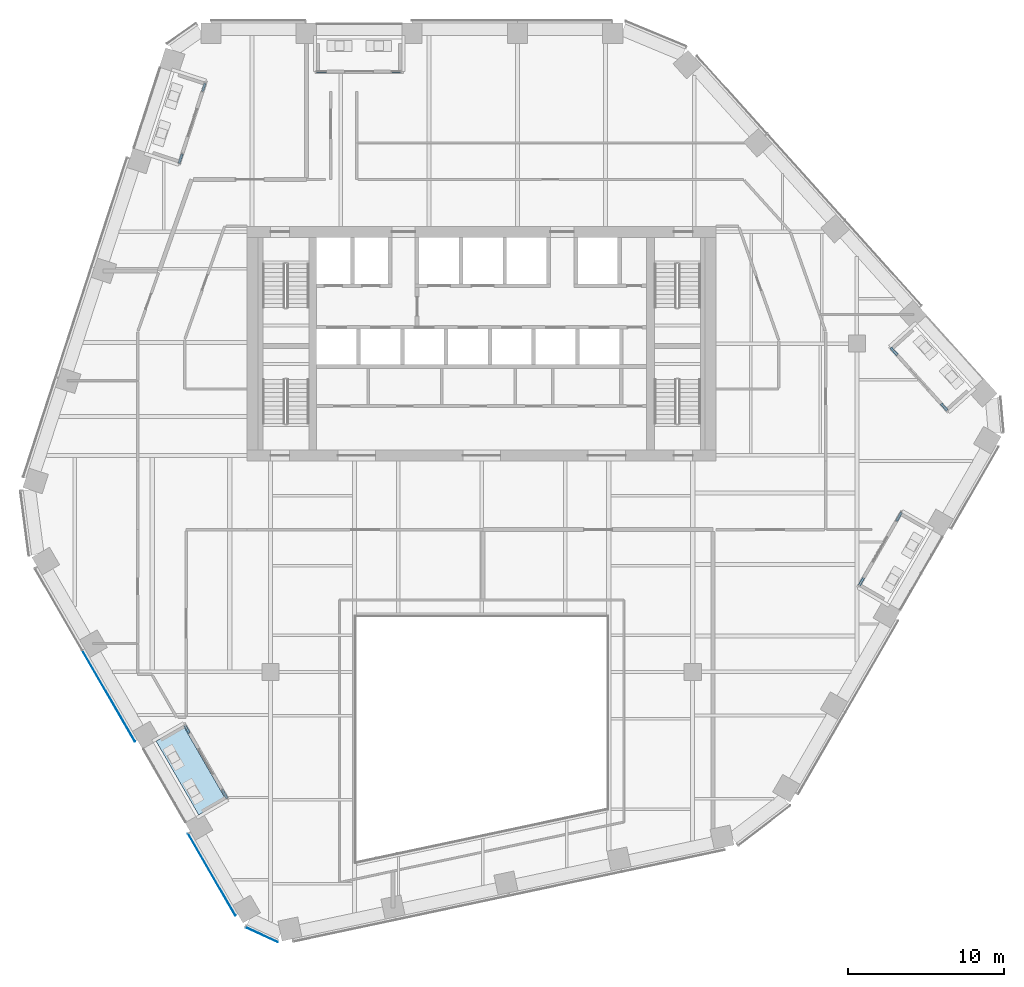
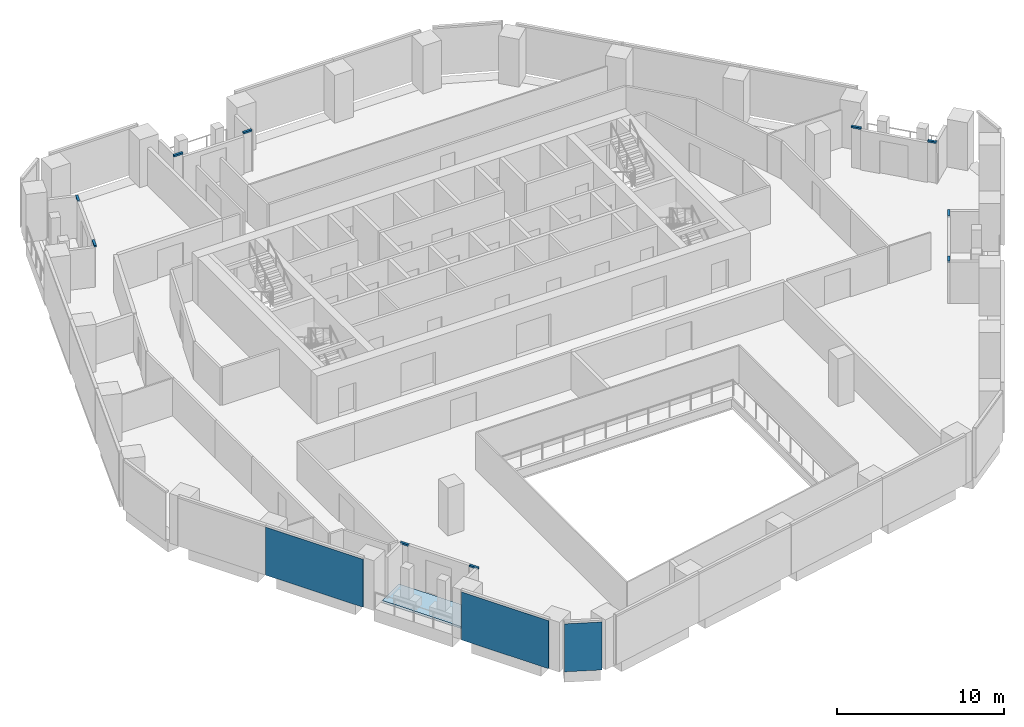
# One storey, part 12 of 26: 10 members, 3 plates, 1 slab, 7 elements without a shape of their own.
"""IFC4 building model written with IfcOpenShell, lengths in metres."""

from ifc_helpers import new_model, si_unit, direction, frame, origin, origin_2d, place, context, subcontext, project, spatial, polyline, rectangle, outline, extrude, material, layer, layer_set, material_profile, profile_set, type_object, element, aggregate, save


model = new_model("IFC4")

# Units and contexts
model_context = context("Model", 3, precision=1e-05, world=origin(), true_north=direction((0.0, 1.0)))
body_context = subcontext(model_context, "Body", "Model", "MODEL_VIEW")
ifc_project = project(units=[si_unit("LENGTHUNIT", "METRE"), si_unit("AREAUNIT", "SQUARE_METRE"), si_unit("VOLUMEUNIT", "CUBIC_METRE"), si_unit("PLANEANGLEUNIT", "RADIAN"), si_unit("MASSUNIT", "GRAM", prefix="KILO")], contexts=[model_context])

# Site, building, storey
site_placement = place(None, origin())
site = spatial("IfcSite", under=ifc_project, at=site_placement, CompositionType="ELEMENT")
building_placement = place(site_placement, origin())
building = spatial("IfcBuilding", under=site, at=building_placement, Name="Isthmus Gate Tower", CompositionType="ELEMENT")
storey_placement = place(building_placement, frame((0.0, 0.0, 189.050048828125)))
storey = spatial("IfcBuildingStorey", under=building, at=storey_placement, Name="L47", CompositionType="ELEMENT", Elevation=189.050048828125)

# Curtain wall, members
ifc_material_1 = material(Name="Aluminium, pale champagne anodised", Category="aluminium")
ifc_layer_1 = layer(ifc_material_1, 0.14990234375)
ifc_layer_set_1 = layer_set([ifc_layer_1], Name="CW-6 LOGGIA BACK WALL GLAZING 150 DEEP")
curtain_wall_type_1 = type_object("IfcCurtainWallType", Name="CW-6 LOGGIA BACK WALL GLAZING 150 DEEP", PredefinedType="NOTDEFINED", material=ifc_layer_set_1)
curtain_wall_1_placement = place(storey_placement, origin())
curtain_wall_1 = element("IfcCurtainWall", 1, at=curtain_wall_1_placement, inside=storey, type_object=curtain_wall_type_1, Name="CW-6 N L47", PredefinedType="NOTDEFINED")
ifc_material_2 = material(Name="Aluminium, pale champagne anodised", Category="aluminium")
ifc_material_profile = material_profile(ifc_material_2, rectangle(XDim=0.14990234375, YDim=0.1201171875, at=origin_2d()), Name="150x120")
ifc_profile_set = profile_set([ifc_material_profile], Name="Aluminium, pale champagne anodised")
member_type = type_object("IfcMemberType", Name="CW-6 TRANSOM 150 X 120", PredefinedType="USERDEFINED", material=ifc_profile_set)
member_1_placement = place(storey_placement, frame((-5.171630859375, 24.89990234375, 2.989990234375), z_axis=(-1.0, 0.0, 0.0), x_axis=(0.0, -1.0, 0.0)))
member_1 = element("IfcMember", 2, at=member_1_placement, type_object=member_type, Name="CW-6 transom", ObjectType="TRANSOM", PredefinedType="USERDEFINED", context=body_context, shape_type="SweptSolid", body=[
    extrude(rectangle(XDim=0.14990234375, YDim=0.1201171875, at=origin_2d()), origin(), (0.0, 0.0, 1.0), 0.565185546875),
])
member_2_placement = place(storey_placement, frame((-9.936767578125, 24.89990234375, 2.989990234375), z_axis=(-1.0, 0.0, 0.0), x_axis=(0.0, -1.0, 0.0)))
member_2 = element("IfcMember", 3, at=member_2_placement, type_object=member_type, Name="CW-6 transom", ObjectType="TRANSOM", PredefinedType="USERDEFINED", context=body_context, shape_type="SweptSolid", body=[
    extrude(rectangle(XDim=0.14990234375, YDim=0.1201171875, at=origin_2d()), origin(), (0.0, 0.0, 1.0), 0.625),
])
aggregate(curtain_wall_1, [member_1, member_2])

curtain_wall_2_placement = place(storey_placement, origin())
curtain_wall_2 = element("IfcCurtainWall", 4, at=curtain_wall_2_placement, inside=storey, type_object=curtain_wall_type_1, Name="CW-6 NW L47", PredefinedType="NOTDEFINED")
member_3_placement = place(storey_placement, frame((-17.686767578125, 24.16357421875, 2.989990234375), z_axis=(-0.309292918625, -0.950966818816, 0.0), x_axis=(0.950966818816, -0.309292918625, 0.0)))
member_3 = element("IfcMember", 5, at=member_3_placement, type_object=member_type, Name="CW-6 transom", ObjectType="TRANSOM", PredefinedType="USERDEFINED", context=body_context, shape_type="SweptSolid", body=[
    extrude(rectangle(XDim=0.14990234375, YDim=0.1201171875, at=origin_2d()), origin(), (0.0, 0.0, 1.0), 0.560546875),
])
member_4_placement = place(storey_placement, frame((-19.157958984375, 19.63623046875, 2.989990234375), z_axis=(-0.308899214007, -0.951094777394, 0.0), x_axis=(0.951094777394, -0.308899214007, 0.0)))
member_4 = element("IfcMember", 6, at=member_4_placement, type_object=member_type, Name="CW-6 transom", ObjectType="TRANSOM", PredefinedType="USERDEFINED", context=body_context, shape_type="SweptSolid", body=[
    extrude(rectangle(XDim=0.14990234375, YDim=0.1201171875, at=origin_2d()), origin(), (0.0, 0.0, 1.0), 0.620361328125),
])
aggregate(curtain_wall_2, [member_3, member_4])

curtain_wall_3_placement = place(storey_placement, origin())
curtain_wall_3 = element("IfcCurtainWall", 7, at=curtain_wall_3_placement, inside=storey, type_object=curtain_wall_type_1, Name="CW-6 SW L47", PredefinedType="NOTDEFINED")
member_5_placement = place(storey_placement, frame((-18.978271484375, -16.9287109375, 2.989990234375), z_axis=(0.500133679476, -0.865948210146, 0.0), x_axis=(0.865948210146, 0.500133679476, 0.0)))
member_5 = element("IfcMember", 8, at=member_5_placement, type_object=member_type, Name="CW-6 transom", ObjectType="TRANSOM", PredefinedType="USERDEFINED", context=body_context, shape_type="SweptSolid", body=[
    extrude(rectangle(XDim=0.14990234375, YDim=0.1201171875, at=origin_2d()), origin(), (0.0, 0.0, 1.0), 0.565185546875),
])
member_6_placement = place(storey_placement, frame((-16.595703125, -21.055419921875, 2.989990234375), z_axis=(0.499835134068, -0.866120568253, 0.0), x_axis=(0.866120568253, 0.499835134068, 0.0)))
member_6 = element("IfcMember", 9, at=member_6_placement, type_object=member_type, Name="CW-6 transom", ObjectType="TRANSOM", PredefinedType="USERDEFINED", context=body_context, shape_type="SweptSolid", body=[
    extrude(rectangle(XDim=0.14990234375, YDim=0.1201171875, at=origin_2d()), origin(), (0.0, 0.0, 1.0), 0.625244140625),
])
aggregate(curtain_wall_3, [member_5, member_6])

curtain_wall_4_placement = place(storey_placement, origin())
curtain_wall_4 = element("IfcCurtainWall", 10, at=curtain_wall_4_placement, inside=storey, type_object=curtain_wall_type_1, Name="CW-6 SE L47", PredefinedType="NOTDEFINED")
member_7_placement = place(storey_placement, frame((24.14990234375, -7.97119140625, 2.989990234375), z_axis=(0.4999967785, 0.866027263711, 0.0), x_axis=(-0.866027263711, 0.4999967785, 0.0)))
member_7 = element("IfcMember", 11, at=member_7_placement, type_object=member_type, Name="CW-6 transom", ObjectType="TRANSOM", PredefinedType="USERDEFINED", context=body_context, shape_type="SweptSolid", body=[
    extrude(rectangle(XDim=0.14990234375, YDim=0.1201171875, at=origin_2d()), origin(), (0.0, 0.0, 1.0), 0.56494140625),
])
member_8_placement = place(storey_placement, frame((26.532470703125, -3.844482421875, 2.989990234375), z_axis=(0.500004234368, 0.866022959057, 0.0), x_axis=(-0.866022959057, 0.500004234368, 0.0)))
member_8 = element("IfcMember", 12, at=member_8_placement, type_object=member_type, Name="CW-6 transom", ObjectType="TRANSOM", PredefinedType="USERDEFINED", context=body_context, shape_type="SweptSolid", body=[
    extrude(rectangle(XDim=0.14990234375, YDim=0.1201171875, at=origin_2d()), origin(), (0.0, 0.0, 1.0), 0.625),
])
aggregate(curtain_wall_4, [member_7, member_8])

curtain_wall_5_placement = place(storey_placement, origin())
curtain_wall_5 = element("IfcCurtainWall", 13, at=curtain_wall_5_placement, inside=storey, type_object=curtain_wall_type_1, Name="CW-6 NE L47", PredefinedType="NOTDEFINED")
member_9_placement = place(storey_placement, frame((29.769775390625, 3.2353515625, 2.989990234375), z_axis=(-0.669109122728, 0.743164168863, 0.0), x_axis=(-0.743164168863, -0.669109122728, 0.0)))
member_9 = element("IfcMember", 14, at=member_9_placement, type_object=member_type, Name="CW-6 transom", ObjectType="TRANSOM", PredefinedType="USERDEFINED", context=body_context, shape_type="SweptSolid", body=[
    extrude(rectangle(XDim=0.14990234375, YDim=0.1201171875, at=origin_2d()), origin(), (0.0, 0.0, 1.0), 0.560546875),
])
member_10_placement = place(storey_placement, frame((26.584228515625, 6.773193359375, 2.989990234375), z_axis=(-0.669138685008, 0.74313755135, 0.0), x_axis=(-0.74313755135, -0.669138685008, 0.0)))
member_10 = element("IfcMember", 15, at=member_10_placement, type_object=member_type, Name="CW-6 transom", ObjectType="TRANSOM", PredefinedType="USERDEFINED", context=body_context, shape_type="SweptSolid", body=[
    extrude(rectangle(XDim=0.14990234375, YDim=0.1201171875, at=origin_2d()), origin(), (0.0, 0.0, 1.0), 0.620361328125),
])
aggregate(curtain_wall_5, [member_9, member_10])

# Curtain wall, plates
ifc_material_3 = material(Name="Aluminium, pale champagne anodised", Category="aluminium")
ifc_layer_2 = layer(ifc_material_3, 0.199951171875)
ifc_layer_set_2 = layer_set([ifc_layer_2], Name="CW-1 UNITISED CURTAIN WALL 200 DEEP")
curtain_wall_type_2 = type_object("IfcCurtainWallType", Name="CW-1 UNITISED CURTAIN WALL 200 DEEP", PredefinedType="NOTDEFINED", material=ifc_layer_set_2)
curtain_wall_6_placement = place(storey_placement, origin())
curtain_wall_6 = element("IfcCurtainWall", 16, at=curtain_wall_6_placement, inside=storey, type_object=curtain_wall_type_2, Name="CW-1 SW L47", PredefinedType="NOTDEFINED")
ifc_material_4 = material(Name="Laminated low-iron glass, pale blue tint", Category="glass")
ifc_layer_3 = layer(ifc_material_4, 0.035888671875)
ifc_layer_set_3 = layer_set([ifc_layer_3], Name="CW-1 CLEAR GLASS LITE 36")
plate_type = type_object("IfcPlateType", Name="CW-1 CLEAR GLASS LITE 36", PredefinedType="CURTAIN_PANEL", material=ifc_layer_set_3)
plate_1_placement = place(storey_placement, frame((-23.863037109375, -15.031982421875, 0.0), z_axis=(0.0, 0.0, 1.0), x_axis=(0.5, -0.866025403784, 0.0)))
plate_1 = element("IfcPlate", 17, at=plate_1_placement, type_object=plate_type, Name="CW-1 glass lite", PredefinedType="CURTAIN_PANEL", context=body_context, shape_type="SweptSolid", body=[
    extrude(rectangle(XDim=6.750244140625, YDim=0.035888671875, at=origin_2d()), origin(), (0.0, 0.0, 1.0), 3.510009765625),
])
plate_2_placement = place(storey_placement, frame((-17.260498046875, -26.46826171875, 0.0), z_axis=(0.0, 0.0, 1.0), x_axis=(0.5, -0.866025403784, 0.0)))
plate_2 = element("IfcPlate", 18, at=plate_2_placement, type_object=plate_type, Name="CW-1 glass lite", PredefinedType="CURTAIN_PANEL", context=body_context, shape_type="SweptSolid", body=[
    extrude(rectangle(XDim=6.0400390625, YDim=0.035888671875, at=origin_2d()), origin(), (0.0, 0.0, 1.0), 3.510009765625),
])
aggregate(curtain_wall_6, [plate_1, plate_2])

# Curtain wall, plate
curtain_wall_7_placement = place(storey_placement, origin())
curtain_wall_7 = element("IfcCurtainWall", 19, at=curtain_wall_7_placement, inside=storey, type_object=curtain_wall_type_2, Name="CW-1 SW-S L47", PredefinedType="NOTDEFINED")
plate_3_placement = place(storey_placement, frame((-14.07373046875, -30.3095703125, 0.0), z_axis=(0.0, 0.0, 1.0), x_axis=(0.907256261367, -0.420578264073, 0.0)))
plate_3 = element("IfcPlate", 20, at=plate_3_placement, type_object=plate_type, Name="CW-1 glass lite", PredefinedType="CURTAIN_PANEL", context=body_context, shape_type="SweptSolid", body=[
    extrude(rectangle(XDim=2.258544921875, YDim=0.035888671875, at=origin_2d()), origin(), (0.0, 0.0, 1.0), 3.510009765625),
])
aggregate(curtain_wall_7, [plate_3])

# Slab
ifc_material_5 = material(Name="Concrete f'c 50 MPa", Category="concrete")
ifc_layer_4 = layer(ifc_material_5, 0.14990234375)
ifc_layer_set_4 = layer_set([ifc_layer_4], Name="LOGGIA FLOOR SLAB 150")
slab_type = type_object("IfcSlabType", Name="LOGGIA FLOOR SLAB 150", PredefinedType="FLOOR", material=ifc_layer_set_4)
slab_placement = place(storey_placement, frame((0.0, 0.0, -0.150146484375)))
element("IfcSlab", 21, at=slab_placement, inside=storey, type_object=slab_type, Name="LOGGIA FLOOR", PredefinedType="FLOOR", context=body_context, shape_type="SweptSolid", body=[
    extrude(outline(polyline([(-20.826904296875, -17.9267578125), (-18.101806640625, -22.646728515625), (-16.36962890625, -21.646728515625), (-19.0947265625, -16.9267578125), (-20.826904296875, -17.9267578125)])), origin(), (0.0, 0.0, 1.0), 0.150146484375),
])

save(model, "model.ifc")
